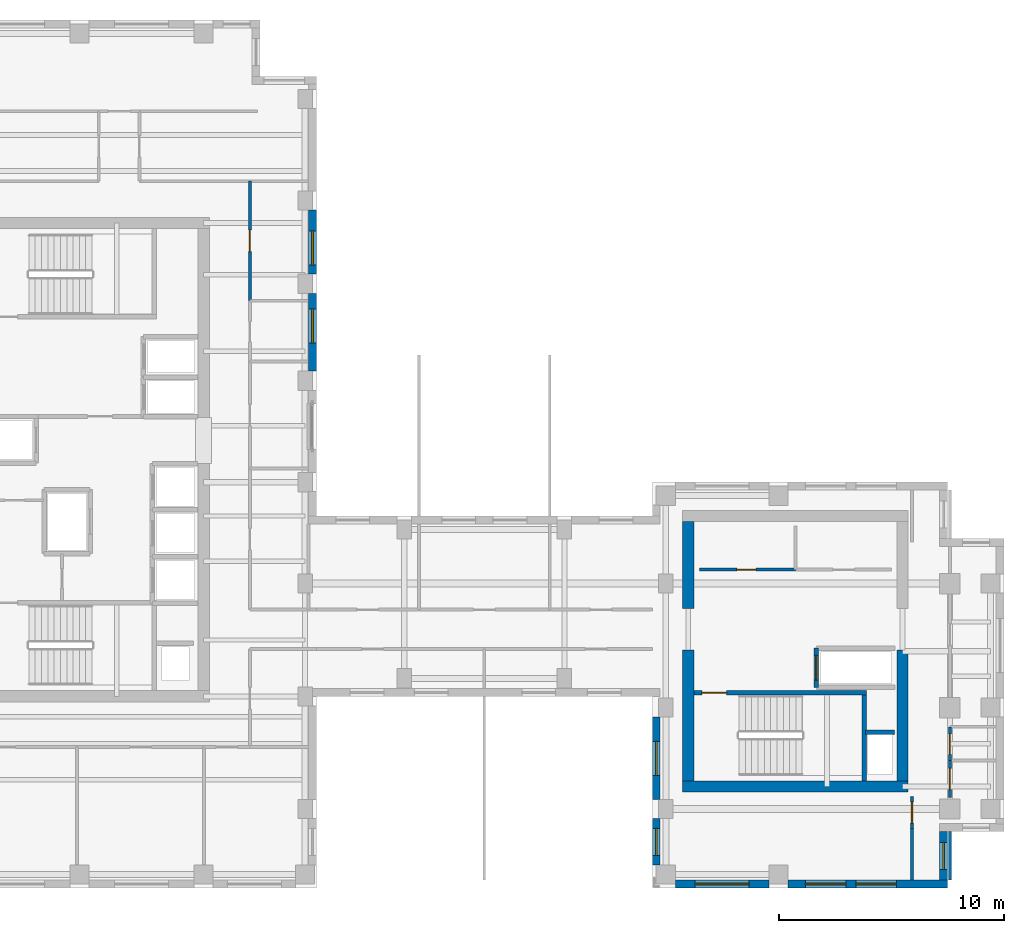
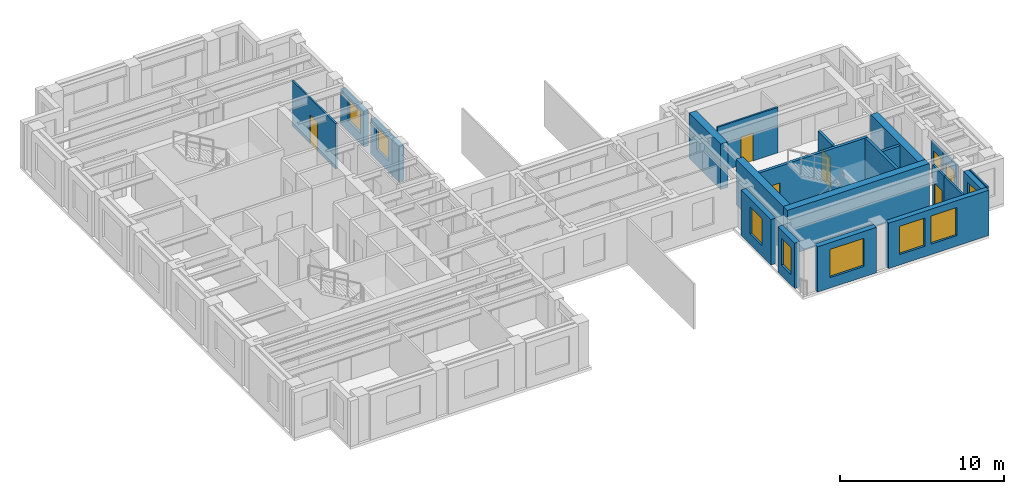
# One storey, part 7 of 11: 22 walls, 8 windows, 7 doors, 15 openings.
"""IFC4 building model written with IfcOpenShell, lengths in metres."""

from ifc_helpers import new_model, si_unit, direction, frame, frame_2d, origin, place, context, subcontext, project, spatial, rectangle, extrude, source, transform, mapped, material, layer, layer_set, type_object, element, fill, save


model = new_model("IFC4")

# Units and contexts
model_context = context("Model", 3, precision=1e-05, world=origin(), true_north=direction((0.0, 1.0)))
body_context = subcontext(model_context, "Body", "Model", "MODEL_VIEW")
ifc_project = project(units=[si_unit("LENGTHUNIT", "METRE"), si_unit("AREAUNIT", "SQUARE_METRE"), si_unit("VOLUMEUNIT", "CUBIC_METRE"), si_unit("PLANEANGLEUNIT", "RADIAN"), si_unit("MASSUNIT", "GRAM", prefix="KILO")], contexts=[model_context])

# Site, building, storey
site_placement = place(None, origin())
site = spatial("IfcSite", under=ifc_project, at=site_placement, CompositionType="ELEMENT")
building_placement = place(site_placement, origin())
building = spatial("IfcBuilding", under=site, at=building_placement, Name="Kharzan Plaza Tower", CompositionType="ELEMENT")
storey_placement = place(building_placement, frame((0.0, 0.0, 226.800048828125)))
storey = spatial("IfcBuildingStorey", under=building, at=storey_placement, Name="L61", CompositionType="ELEMENT", Elevation=226.800048828125)

# Wall, opening, window
ifc_material_1 = material(Name="Concrete C40/50", Category="concrete")
ifc_layer_1 = layer(ifc_material_1, 0.35009765625)
ifc_layer_set_1 = layer_set([ifc_layer_1], Name="Concrete C40/50")
wall_type_1 = type_object("IfcWallType", Name="WL-EXT-MAS-Z4", PredefinedType="SOLIDWALL", material=ifc_layer_set_1)
wall_1_placement = place(storey_placement, frame((19.324951171875, 22.923095703125, 0.0), z_axis=(0.0, 0.0, 1.0), x_axis=(0.0, 1.0, 0.0)))
wall_1 = element("IfcWall", 1, at=wall_1_placement, inside=storey, type_object=wall_type_1, Name="L61 Masonry-Frame Exterior Wall 04", PredefinedType="SOLIDWALL", context=body_context, shape_type="SweptSolid", body=[
    extrude(rectangle(XDim=3.453857421875, YDim=0.35009765625, at=frame_2d((1.72705078125, 0.0))), origin(), (0.0, 0.0, 1.0), 2.618896484375),
])
opening_1_placement = place(wall_1_placement, frame((1.255615234375, 0.0, 0.780029296875)))
opening_1 = element("IfcOpeningElement", 2, at=opening_1_placement, cuts=wall_1, Name="Opening W5", PredefinedType="OPENING", context=body_context, shape_type="SweptSolid", body=[
    extrude(rectangle(XDim=1.5, YDim=1.658935546875, at=frame_2d((0.75, 0.82958984375))), frame((0.0, 0.18505859375, 0.0), z_axis=(0.0, -1.0, 0.0), x_axis=(1.0, 0.0, 0.0)), (0.0, 0.0, 1.0), 0.3701171875),
])
ifc_material_2 = material(Name="Low-E Double Glazing", Category="glass")
window_type_1 = type_object("IfcWindowType", Name="WN-SLT-1500x2000", PartitioningType="SINGLE_PANEL", PredefinedType="WINDOW", material=ifc_material_2)
shared_shape_1 = source(origin(), body_context, "Body", "SweptSolid", [
    extrude(rectangle(XDim=1.5, YDim=1.658935546875, at=frame_2d((0.75, 0.82958984375))), frame((0.0, 0.030029296875, 0.0), z_axis=(0.0, -1.0, 0.0), x_axis=(1.0, 0.0, 0.0)), (0.0, 0.0, 1.0), 0.06005859375),
])
window_1_placement = place(opening_1_placement, origin())
window_1 = element("IfcWindow", 3, at=window_1_placement, inside=storey, type_object=window_type_1, Name="L61 Recessed Solar-Control Window 04-1", OverallHeight=1.658935546875, OverallWidth=1.5, PartitioningType="SINGLE_PANEL", PredefinedType="WINDOW", context=body_context, shape_type="MappedRepresentation", body=[
    mapped(shared_shape_1, transform((0.0, 0.0, 0.0), x_axis=(1.0, 0.0, 0.0), y_axis=(0.0, 1.0, 0.0), z_axis=(0.0, 0.0, 1.0))),
])
fill(opening_1, window_1)

wall_2_placement = place(storey_placement, frame((19.324951171875, 27.222900390625, 0.0), z_axis=(0.0, 0.0, 1.0), x_axis=(0.0, 1.0, 0.0)))
wall_2 = element("IfcWall", 4, at=wall_2_placement, inside=storey, type_object=wall_type_1, Name="L61 Masonry-Frame Exterior Wall 05", PredefinedType="SOLIDWALL", context=body_context, shape_type="SweptSolid", body=[
    extrude(rectangle(XDim=2.85400390625, YDim=0.35009765625, at=frame_2d((1.427001953125, 0.0))), origin(), (0.0, 0.0, 1.0), 2.618896484375),
])
opening_2_placement = place(wall_2_placement, frame((0.411376953125, 0.0, 0.780029296875)))
opening_2 = element("IfcOpeningElement", 5, at=opening_2_placement, cuts=wall_2, Name="Opening W5", PredefinedType="OPENING", context=body_context, shape_type="SweptSolid", body=[
    extrude(rectangle(XDim=1.5, YDim=1.658935546875, at=frame_2d((0.75, 0.82958984375))), frame((0.0, 0.18505859375, 0.0), z_axis=(0.0, -1.0, 0.0), x_axis=(1.0, 0.0, 0.0)), (0.0, 0.0, 1.0), 0.3701171875),
])
window_2_placement = place(opening_2_placement, origin())
window_2 = element("IfcWindow", 6, at=window_2_placement, inside=storey, type_object=window_type_1, Name="L61 Recessed Solar-Control Window 05-1", OverallHeight=1.658935546875, OverallWidth=1.5, PartitioningType="SINGLE_PANEL", PredefinedType="WINDOW", context=body_context, shape_type="MappedRepresentation", body=[
    mapped(shared_shape_1, transform((0.0, 0.0, 0.0), x_axis=(1.0, 0.0, 0.0), y_axis=(0.0, 1.0, 0.0), z_axis=(0.0, 0.0, 1.0))),
])
fill(opening_2, window_2)

wall_3_placement = place(storey_placement, frame((34.574951171875, 7.576904296875, 0.0), z_axis=(0.0, 0.0, 1.0), x_axis=(0.0, -1.0, 0.0)))
wall_3 = element("IfcWall", 7, at=wall_3_placement, inside=storey, type_object=wall_type_1, Name="L61 Masonry-Frame Exterior Wall 34", PredefinedType="SOLIDWALL", context=body_context, shape_type="SweptSolid", body=[
    extrude(rectangle(XDim=3.65380859375, YDim=0.35009765625, at=frame_2d((1.826904296875, 0.0))), origin(), (0.0, 0.0, 1.0), 3.385009765625),
])
opening_3_placement = place(wall_3_placement, frame((1.076904296875, 0.0, 0.780029296875)))
opening_3 = element("IfcOpeningElement", 8, at=opening_3_placement, cuts=wall_3, Name="Opening W5", PredefinedType="OPENING", context=body_context, shape_type="SweptSolid", body=[
    extrude(rectangle(XDim=1.5, YDim=2.0, at=frame_2d((0.75, 1.0))), frame((0.0, 0.18505859375, 0.0), z_axis=(0.0, -1.0, 0.0), x_axis=(1.0, 0.0, 0.0)), (0.0, 0.0, 1.0), 0.3701171875),
])
shared_shape_2 = source(origin(), body_context, "Body", "SweptSolid", [
    extrude(rectangle(XDim=1.5, YDim=2.0, at=frame_2d((0.75, 1.0))), frame((0.0, 0.030029296875, 0.0), z_axis=(0.0, -1.0, 0.0), x_axis=(1.0, 0.0, 0.0)), (0.0, 0.0, 1.0), 0.06005859375),
])
window_3_placement = place(opening_3_placement, origin())
window_3 = element("IfcWindow", 9, at=window_3_placement, inside=storey, type_object=window_type_1, Name="L61 Recessed Solar-Control Window 34-1", OverallHeight=2.0, OverallWidth=1.5, PartitioningType="SINGLE_PANEL", PredefinedType="WINDOW", context=body_context, shape_type="MappedRepresentation", body=[
    mapped(shared_shape_2, transform((0.0, 0.0, 0.0), x_axis=(1.0, 0.0, 0.0), y_axis=(0.0, 1.0, 0.0), z_axis=(0.0, 0.0, 1.0))),
])
fill(opening_3, window_3)

wall_4_placement = place(storey_placement, frame((34.574951171875, 3.076904296875, 0.0), z_axis=(0.0, 0.0, 1.0), x_axis=(0.0, -1.0, 0.0)))
wall_4 = element("IfcWall", 10, at=wall_4_placement, inside=storey, type_object=wall_type_1, Name="L61 Masonry-Frame Exterior Wall 35", PredefinedType="SOLIDWALL", context=body_context, shape_type="SweptSolid", body=[
    extrude(rectangle(XDim=2.053955078125, YDim=0.35009765625, at=frame_2d((1.02685546875, 0.0))), origin(), (0.0, 0.0, 1.0), 3.385009765625),
])
opening_4_placement = place(wall_4_placement, frame((0.427001953125, 0.0, 0.780029296875)))
opening_4 = element("IfcOpeningElement", 11, at=opening_4_placement, cuts=wall_4, Name="Opening W3", PredefinedType="OPENING", context=body_context, shape_type="SweptSolid", body=[
    extrude(rectangle(XDim=1.199951171875, YDim=2.0, at=frame_2d((0.60009765625, 1.0))), frame((0.0, 0.18505859375, 0.0), z_axis=(0.0, -1.0, 0.0), x_axis=(1.0, 0.0, 0.0)), (0.0, 0.0, 1.0), 0.3701171875),
])
window_type_2 = type_object("IfcWindowType", Name="WN-REC-1200x2100", PartitioningType="SINGLE_PANEL", PredefinedType="WINDOW", material=ifc_material_2)
shared_shape_3 = source(origin(), body_context, "Body", "SweptSolid", [
    extrude(rectangle(XDim=1.199951171875, YDim=2.0, at=frame_2d((0.60009765625, 1.0))), frame((0.0, 0.030029296875, 0.0), z_axis=(0.0, -1.0, 0.0), x_axis=(1.0, 0.0, 0.0)), (0.0, 0.0, 1.0), 0.06005859375),
])
window_4_placement = place(opening_4_placement, origin())
window_4 = element("IfcWindow", 12, at=window_4_placement, inside=storey, type_object=window_type_2, Name="L61 Recessed Solar-Control Window 35-1", OverallHeight=2.0, OverallWidth=1.199951171875, PartitioningType="SINGLE_PANEL", PredefinedType="WINDOW", context=body_context, shape_type="MappedRepresentation", body=[
    mapped(shared_shape_3, transform((0.0, 0.0, 0.0), x_axis=(1.0, 0.0, 0.0), y_axis=(0.0, 1.0, 0.0), z_axis=(0.0, 0.0, 1.0))),
])
fill(opening_4, window_4)

wall_5_placement = place(storey_placement, frame((35.423095703125, 0.175048828125, 0.0), z_axis=(0.0, 0.0, 1.0), x_axis=(1.0, 0.0, 0.0)))
wall_5 = element("IfcWall", 13, at=wall_5_placement, inside=storey, type_object=wall_type_1, Name="L61 Masonry-Frame Exterior Wall 36", PredefinedType="SOLIDWALL", context=body_context, shape_type="SweptSolid", body=[
    extrude(rectangle(XDim=4.15380859375, YDim=0.35009765625, at=frame_2d((2.076904296875, 0.0))), origin(), (0.0, 0.0, 1.0), 3.385009765625),
])
opening_5_placement = place(wall_5_placement, frame((0.876953125, 0.0, 0.780029296875)))
opening_5 = element("IfcOpeningElement", 14, at=opening_5_placement, cuts=wall_5, Name="Opening W2", PredefinedType="OPENING", context=body_context, shape_type="SweptSolid", body=[
    extrude(rectangle(XDim=2.39990234375, YDim=2.10009765625, at=frame_2d((1.199951171875, 1.050048828125))), frame((0.0, 0.18505859375, 0.0), z_axis=(0.0, -1.0, 0.0), x_axis=(1.0, 0.0, 0.0)), (0.0, 0.0, 1.0), 0.3701171875),
])
window_type_3 = type_object("IfcWindowType", Name="WN-REC-2400x2100", PartitioningType="SINGLE_PANEL", PredefinedType="WINDOW", material=ifc_material_2)
shared_shape_4 = source(origin(), body_context, "Body", "SweptSolid", [
    extrude(rectangle(XDim=2.39990234375, YDim=2.10009765625, at=frame_2d((1.199951171875, 1.050048828125))), frame((0.0, 0.030029296875, 0.0), z_axis=(0.0, -1.0, 0.0), x_axis=(1.0, 0.0, 0.0)), (0.0, 0.0, 1.0), 0.06005859375),
])
window_5_placement = place(opening_5_placement, origin())
window_5 = element("IfcWindow", 15, at=window_5_placement, inside=storey, type_object=window_type_3, Name="L61 Wide Recessed Solar-Control Window 36-1", OverallHeight=2.10009765625, OverallWidth=2.39990234375, PartitioningType="SINGLE_PANEL", PredefinedType="WINDOW", context=body_context, shape_type="MappedRepresentation", body=[
    mapped(shared_shape_4, transform((0.0, 0.0, 0.0), x_axis=(1.0, 0.0, 0.0), y_axis=(0.0, 1.0, 0.0), z_axis=(0.0, 0.0, 1.0))),
])
fill(opening_5, window_5)

# Wall, openings, windows
wall_6_placement = place(storey_placement, frame((40.423095703125, 0.175048828125, 0.0), z_axis=(0.0, 0.0, 1.0), x_axis=(1.0, 0.0, 0.0)))
wall_6 = element("IfcWall", 16, at=wall_6_placement, inside=storey, type_object=wall_type_1, Name="L61 Masonry-Frame Exterior Wall 37", PredefinedType="SOLIDWALL", context=body_context, shape_type="SweptSolid", body=[
    extrude(rectangle(XDim=7.076904296875, YDim=0.35009765625, at=frame_2d((3.53857421875, 0.0))), origin(), (0.0, 0.0, 1.0), 3.385009765625),
])
opening_6_placement = place(wall_6_placement, frame((0.76220703125, 0.0, 0.780029296875)))
opening_6 = element("IfcOpeningElement", 17, at=opening_6_placement, cuts=wall_6, Name="Opening W1", PredefinedType="OPENING", context=body_context, shape_type="SweptSolid", body=[
    extrude(rectangle(XDim=1.800048828125, YDim=2.10009765625, at=frame_2d((0.89990234375, 1.050048828125))), frame((0.0, 0.18505859375, 0.0), z_axis=(0.0, -1.0, 0.0), x_axis=(1.0, 0.0, 0.0)), (0.0, 0.0, 1.0), 0.3701171875),
])
opening_7_placement = place(wall_6_placement, frame((3.004638671875, 0.0, 0.780029296875)))
opening_7 = element("IfcOpeningElement", 18, at=opening_7_placement, cuts=wall_6, Name="Opening W1", PredefinedType="OPENING", context=body_context, shape_type="SweptSolid", body=[
    extrude(rectangle(XDim=1.800048828125, YDim=2.10009765625, at=frame_2d((0.89990234375, 1.050048828125))), frame((0.0, 0.18505859375, 0.0), z_axis=(0.0, -1.0, 0.0), x_axis=(1.0, 0.0, 0.0)), (0.0, 0.0, 1.0), 0.3701171875),
])
window_type_4 = type_object("IfcWindowType", Name="WN-REC-1800x2100", PartitioningType="SINGLE_PANEL", PredefinedType="WINDOW", material=ifc_material_2)
shared_shape_5 = source(origin(), body_context, "Body", "SweptSolid", [
    extrude(rectangle(XDim=1.800048828125, YDim=2.10009765625, at=frame_2d((0.89990234375, 1.050048828125))), frame((0.0, 0.030029296875, 0.0), z_axis=(0.0, -1.0, 0.0), x_axis=(1.0, 0.0, 0.0)), (0.0, 0.0, 1.0), 0.06005859375),
])
window_6_placement = place(opening_6_placement, origin())
window_6 = element("IfcWindow", 19, at=window_6_placement, inside=storey, type_object=window_type_4, Name="L61 Recessed Solar-Control Window 37-1", OverallHeight=2.10009765625, OverallWidth=1.800048828125, PartitioningType="SINGLE_PANEL", PredefinedType="WINDOW", context=body_context, shape_type="MappedRepresentation", body=[
    mapped(shared_shape_5, transform((0.0, 0.0, 0.0), x_axis=(1.0, 0.0, 0.0), y_axis=(0.0, 1.0, 0.0), z_axis=(0.0, 0.0, 1.0))),
])
fill(opening_6, window_6)
window_7_placement = place(opening_7_placement, origin())
window_7 = element("IfcWindow", 20, at=window_7_placement, inside=storey, type_object=window_type_4, Name="L61 Recessed Solar-Control Window 37-2", OverallHeight=2.10009765625, OverallWidth=1.800048828125, PartitioningType="SINGLE_PANEL", PredefinedType="WINDOW", context=body_context, shape_type="MappedRepresentation", body=[
    mapped(shared_shape_5, transform((0.0, 0.0, 0.0), x_axis=(1.0, 0.0, 0.0), y_axis=(0.0, 1.0, 0.0), z_axis=(0.0, 0.0, 1.0))),
])
fill(opening_7, window_7)

# Wall, opening, window
wall_7_placement = place(storey_placement, frame((47.324951171875, 0.347900390625, 0.0), z_axis=(0.0, 0.0, 1.0), x_axis=(0.0, 1.0, 0.0)))
wall_7 = element("IfcWall", 21, at=wall_7_placement, inside=storey, type_object=wall_type_1, Name="L61 Masonry-Frame Exterior Wall 38", PredefinedType="SOLIDWALL", context=body_context, shape_type="SweptSolid", body=[
    extrude(rectangle(XDim=2.154052734375, YDim=0.35009765625, at=frame_2d((1.0771484375, 0.0))), origin(), (0.0, 0.0, 1.0), 3.385009765625),
])
opening_8_placement = place(wall_7_placement, frame((0.47705078125, 0.0, 0.780029296875)))
opening_8 = element("IfcOpeningElement", 22, at=opening_8_placement, cuts=wall_7, Name="Opening W3", PredefinedType="OPENING", context=body_context, shape_type="SweptSolid", body=[
    extrude(rectangle(XDim=1.199951171875, YDim=2.10009765625, at=frame_2d((0.60009765625, 1.050048828125))), frame((0.0, 0.18505859375, 0.0), z_axis=(0.0, -1.0, 0.0), x_axis=(1.0, 0.0, 0.0)), (0.0, 0.0, 1.0), 0.3701171875),
])
shared_shape_6 = source(origin(), body_context, "Body", "SweptSolid", [
    extrude(rectangle(XDim=1.199951171875, YDim=2.10009765625, at=frame_2d((0.60009765625, 1.050048828125))), frame((0.0, 0.030029296875, 0.0), z_axis=(0.0, -1.0, 0.0), x_axis=(1.0, 0.0, 0.0)), (0.0, 0.0, 1.0), 0.06005859375),
])
window_8_placement = place(opening_8_placement, origin())
window_8 = element("IfcWindow", 23, at=window_8_placement, inside=storey, type_object=window_type_2, Name="L61 Recessed Solar-Control Window 38-1", OverallHeight=2.10009765625, OverallWidth=1.199951171875, PartitioningType="SINGLE_PANEL", PredefinedType="WINDOW", context=body_context, shape_type="MappedRepresentation", body=[
    mapped(shared_shape_6, transform((0.0, 0.0, 0.0), x_axis=(1.0, 0.0, 0.0), y_axis=(0.0, 1.0, 0.0), z_axis=(0.0, 0.0, 1.0))),
])
fill(opening_8, window_8)

# Wall, opening, door
ifc_material_3 = material(Name="Fire-Rated Gypsum Board Partition", Category="gypsum")
ifc_layer_2 = layer(ifc_material_3, 0.125)
ifc_layer_set_2 = layer_set([ifc_layer_2], Name="Fire-Rated Gypsum Board Partition")
wall_type_2 = type_object("IfcWallType", Name="WL-INT-PART-125", PredefinedType="PARTITIONING", material=ifc_layer_set_2)
wall_8_placement = place(storey_placement, frame((36.5, 14.1201171875, 0.0), z_axis=(0.0, 0.0, 1.0), x_axis=(1.0, 0.0, 0.0)))
wall_8 = element("IfcWall", 24, at=wall_8_placement, inside=storey, type_object=wall_type_2, Name="L61 Interior Partition CB-RBLS1", PredefinedType="PARTITIONING", context=body_context, shape_type="SweptSolid", body=[
    extrude(rectangle(XDim=4.25, YDim=0.125, at=frame_2d((2.125, 0.0))), origin(), (0.0, 0.0, 1.0), 3.385009765625),
])
opening_9_placement = place(wall_8_placement, frame((1.64990234375, 0.0, 0.0)))
opening_9 = element("IfcOpeningElement", 25, at=opening_9_placement, cuts=wall_8, Name="Opening RD1", PredefinedType="OPENING", context=body_context, shape_type="SweptSolid", body=[
    extrude(rectangle(XDim=0.85009765625, YDim=2.10009765625, at=frame_2d((0.425048828125, 1.050048828125))), frame((0.0, 0.072509765625, 0.0), z_axis=(0.0, -1.0, 0.0), x_axis=(1.0, 0.0, 0.0)), (0.0, 0.0, 1.0), 0.14501953125),
])
ifc_material_4 = material(Name="Powder-Coated Fire-Rated Steel", Category="steel")
door_type_1 = type_object("IfcDoorType", Name="DR-RISER-900", OperationType="NOTDEFINED", PredefinedType="DOOR", material=ifc_material_4)
shared_shape_7 = source(origin(), body_context, "Body", "SweptSolid", [
    extrude(rectangle(XDim=0.85009765625, YDim=2.10009765625, at=frame_2d((0.425048828125, 1.050048828125))), frame((0.0, 0.02490234375, 0.0), z_axis=(0.0, -1.0, 0.0), x_axis=(1.0, 0.0, 0.0)), (0.0, 0.0, 1.0), 0.050048828125),
])
door_1_placement = place(opening_9_placement, origin())
door_1 = element("IfcDoor", 26, at=door_1_placement, inside=storey, type_object=door_type_1, Name="L61 Archive Room Door", OperationType="SINGLE_SWING_RIGHT", OverallHeight=2.10009765625, OverallWidth=0.85009765625, PredefinedType="DOOR", context=body_context, shape_type="MappedRepresentation", body=[
    mapped(shared_shape_7, transform((0.0, 0.0, 0.0), x_axis=(1.0, 0.0, 0.0), y_axis=(0.0, 1.0, 0.0), z_axis=(0.0, 0.0, 1.0))),
])
fill(opening_9, door_1)

wall_9_placement = place(storey_placement, frame((16.550048828125, 26.050048828125, 0.0), z_axis=(0.0, 0.0, 1.0), x_axis=(0.0, 1.0, 0.0)))
wall_9 = element("IfcWall", 27, at=wall_9_placement, inside=storey, type_object=wall_type_2, Name="L61 Interior Partition SH-AEWN3", PredefinedType="PARTITIONING", context=body_context, shape_type="SweptSolid", body=[
    extrude(rectangle(XDim=5.300048828125, YDim=0.125, at=frame_2d((2.64990234375, 0.0))), origin(), (0.0, 0.0, 1.0), 3.385009765625),
])
opening_10_placement = place(wall_9_placement, frame((2.175048828125, 0.0, 0.0)))
opening_10 = element("IfcOpeningElement", 28, at=opening_10_placement, cuts=wall_9, Name="Opening OD1", PredefinedType="OPENING", context=body_context, shape_type="SweptSolid", body=[
    extrude(rectangle(XDim=0.949951171875, YDim=2.14990234375, at=frame_2d((0.47509765625, 1.074951171875))), frame((0.0, 0.072509765625, 0.0), z_axis=(0.0, -1.0, 0.0), x_axis=(1.0, 0.0, 0.0)), (0.0, 0.0, 1.0), 0.14501953125),
])
ifc_material_5 = material(Name="Acoustic Solid-Core Stained Oak", Category="timber")
door_type_2 = type_object("IfcDoorType", Name="DR-OFF-SINGLE", OperationType="NOTDEFINED", PredefinedType="DOOR", material=ifc_material_5)
shared_shape_8 = source(origin(), body_context, "Body", "SweptSolid", [
    extrude(rectangle(XDim=0.949951171875, YDim=2.14990234375, at=frame_2d((0.47509765625, 1.074951171875))), frame((0.0, 0.02490234375, 0.0), z_axis=(0.0, -1.0, 0.0), x_axis=(1.0, 0.0, 0.0)), (0.0, 0.0, 1.0), 0.050048828125),
])
door_2_placement = place(opening_10_placement, origin())
door_2 = element("IfcDoor", 29, at=door_2_placement, inside=storey, type_object=door_type_2, Name="L61 Staff Tea Point Door", OperationType="SINGLE_SWING_RIGHT", OverallHeight=2.14990234375, OverallWidth=0.949951171875, PredefinedType="DOOR", context=body_context, shape_type="MappedRepresentation", body=[
    mapped(shared_shape_8, transform((0.0, 0.0, 0.0), x_axis=(1.0, 0.0, 0.0), y_axis=(0.0, 1.0, 0.0), z_axis=(0.0, 0.0, 1.0))),
])
fill(opening_10, door_2)

wall_10_placement = place(storey_placement, frame((47.60009765625, 4.02001953125, 0.0), z_axis=(0.0, 0.0, 1.0), x_axis=(0.0, 1.0, 0.0)))
wall_10 = element("IfcWall", 30, at=wall_10_placement, inside=storey, type_object=wall_type_2, Name="L61 Interior Partition SH-B0W0", PredefinedType="PARTITIONING", context=body_context, shape_type="SweptSolid", body=[
    extrude(rectangle(XDim=1.6298828125, YDim=0.125, at=frame_2d((0.81494140625, 0.0))), origin(), (0.0, 0.0, 1.0), 2.77294921875),
])
opening_11_placement = place(wall_10_placement, frame((0.340087890625, 0.0, 0.0)))
opening_11 = element("IfcOpeningElement", 31, at=opening_11_placement, cuts=wall_10, Name="Opening OD1", PredefinedType="OPENING", context=body_context, shape_type="SweptSolid", body=[
    extrude(rectangle(XDim=0.949951171875, YDim=2.14990234375, at=frame_2d((0.47509765625, 1.074951171875))), frame((0.0, 0.072509765625, 0.0), z_axis=(0.0, -1.0, 0.0), x_axis=(1.0, 0.0, 0.0)), (0.0, 0.0, 1.0), 0.14501953125),
])
door_3_placement = place(opening_11_placement, origin())
door_3 = element("IfcDoor", 32, at=door_3_placement, inside=storey, type_object=door_type_2, Name="L61 Wing B South Office Door", OperationType="SINGLE_SWING_RIGHT", OverallHeight=2.14990234375, OverallWidth=0.949951171875, PredefinedType="DOOR", context=body_context, shape_type="MappedRepresentation", body=[
    mapped(shared_shape_8, transform((0.0, 0.0, 0.0), x_axis=(1.0, 0.0, 0.0), y_axis=(0.0, 1.0, 0.0), z_axis=(0.0, 0.0, 1.0))),
])
fill(opening_11, door_3)

wall_11_placement = place(storey_placement, frame((47.60009765625, 5.64990234375, 0.0), z_axis=(0.0, 0.0, 1.0), x_axis=(0.0, 1.0, 0.0)))
wall_11 = element("IfcWall", 33, at=wall_11_placement, inside=storey, type_object=wall_type_2, Name="L61 Interior Partition SH-B0WC", PredefinedType="PARTITIONING", context=body_context, shape_type="SweptSolid", body=[
    extrude(rectangle(XDim=1.5, YDim=0.125, at=frame_2d((0.75, 0.0))), origin(), (0.0, 0.0, 1.0), 2.77294921875),
])
opening_12_placement = place(wall_11_placement, frame((0.27490234375, 0.0, 0.0)))
opening_12 = element("IfcOpeningElement", 34, at=opening_12_placement, cuts=wall_11, Name="Opening WD1", PredefinedType="OPENING", context=body_context, shape_type="SweptSolid", body=[
    extrude(rectangle(XDim=0.89990234375, YDim=2.14990234375, at=frame_2d((0.449951171875, 1.074951171875))), frame((0.0, 0.072509765625, 0.0), z_axis=(0.0, -1.0, 0.0), x_axis=(1.0, 0.0, 0.0)), (0.0, 0.0, 1.0), 0.14501953125),
])
ifc_material_6 = material(Name="Moisture-Resistant Fire-Rated Laminate", Category="timber")
door_type_3 = type_object("IfcDoorType", Name="DR-WC-900", OperationType="NOTDEFINED", PredefinedType="DOOR", material=ifc_material_6)
shared_shape_9 = source(origin(), body_context, "Body", "SweptSolid", [
    extrude(rectangle(XDim=0.89990234375, YDim=2.14990234375, at=frame_2d((0.449951171875, 1.074951171875))), frame((0.0, 0.02490234375, 0.0), z_axis=(0.0, -1.0, 0.0), x_axis=(1.0, 0.0, 0.0)), (0.0, 0.0, 1.0), 0.050048828125),
])
door_4_placement = place(opening_12_placement, origin())
door_4 = element("IfcDoor", 35, at=door_4_placement, inside=storey, type_object=door_type_3, Name="L61 Wing B Washroom Door", OperationType="SINGLE_SWING_LEFT", OverallHeight=2.14990234375, OverallWidth=0.89990234375, PredefinedType="DOOR", context=body_context, shape_type="MappedRepresentation", body=[
    mapped(shared_shape_9, transform((0.0, 0.0, 0.0), x_axis=(1.0, 0.0, 0.0), y_axis=(0.0, 1.0, 0.0), z_axis=(0.0, 0.0, 1.0))),
])
fill(opening_12, door_4)

wall_12_placement = place(storey_placement, frame((45.919921875, 2.64990234375, 0.0), z_axis=(0.0, 0.0, 1.0), x_axis=(0.0, 1.0, 0.0)))
wall_12 = element("IfcWall", 36, at=wall_12_placement, inside=storey, type_object=wall_type_2, Name="L61 Interior Partition SH-RBSE", PredefinedType="PARTITIONING", context=body_context, shape_type="SweptSolid", body=[
    extrude(rectangle(XDim=1.400146484375, YDim=0.125, at=frame_2d((0.7001953125, 0.0))), origin(), (0.0, 0.0, 1.0), 3.385009765625),
])
opening_13_placement = place(wall_12_placement, frame((0.22509765625, 0.0, 0.0)))
opening_13 = element("IfcOpeningElement", 37, at=opening_13_placement, cuts=wall_12, Name="Opening OD1", PredefinedType="OPENING", context=body_context, shape_type="SweptSolid", body=[
    extrude(rectangle(XDim=0.949951171875, YDim=2.14990234375, at=frame_2d((0.47509765625, 1.074951171875))), frame((0.0, 0.072509765625, 0.0), z_axis=(0.0, -1.0, 0.0), x_axis=(1.0, 0.0, 0.0)), (0.0, 0.0, 1.0), 0.14501953125),
])
door_5_placement = place(opening_13_placement, origin())
door_5 = element("IfcDoor", 38, at=door_5_placement, inside=storey, type_object=door_type_2, Name="L61 South-East Corner Office Door", OperationType="SINGLE_SWING_RIGHT", OverallHeight=2.14990234375, OverallWidth=0.949951171875, PredefinedType="DOOR", context=body_context, shape_type="MappedRepresentation", body=[
    mapped(shared_shape_8, transform((0.0, 0.0, 0.0), x_axis=(1.0, 0.0, 0.0), y_axis=(0.0, 1.0, 0.0), z_axis=(0.0, 0.0, 1.0))),
])
fill(opening_13, door_5)

ifc_layer_3 = layer(ifc_material_1, 0.199951171875)
ifc_layer_set_3 = layer_set([ifc_layer_3], Name="Concrete C40/50")
wall_type_3 = type_object("IfcWallType", Name="WL-INT-SHAFT-200", PredefinedType="PARTITIONING", material=ifc_layer_set_3)
wall_13_placement = place(storey_placement, frame((41.679931640625, 8.89990234375, 0.0), z_axis=(0.0, 0.0, 1.0), x_axis=(0.0, 1.0, 0.0)))
wall_13 = element("IfcWall", 39, at=wall_13_placement, inside=storey, type_object=wall_type_3, Name="L61 Interior Partition SHF-SVL-2-W", PredefinedType="PARTITIONING", context=body_context, shape_type="SweptSolid", body=[
    extrude(rectangle(XDim=1.739990234375, YDim=0.199951171875, at=frame_2d((0.8701171875, 0.0))), origin(), (0.0, 0.0, 1.0), 3.385009765625),
])
opening_14_placement = place(wall_13_placement, frame((0.320068359375, 0.0, 0.0)))
opening_14 = element("IfcOpeningElement", 40, at=opening_14_placement, cuts=wall_13, Name="Opening LD", PredefinedType="OPENING", context=body_context, shape_type="SweptSolid", body=[
    extrude(rectangle(XDim=1.10009765625, YDim=2.199951171875, at=frame_2d((0.550048828125, 1.10009765625))), frame((0.0, 0.10986328125, 0.0), z_axis=(0.0, -1.0, 0.0), x_axis=(1.0, 0.0, 0.0)), (0.0, 0.0, 1.0), 0.219970703125),
])
ifc_material_7 = material(Name="Brushed Stainless Steel", Category="steel")
door_type_4 = type_object("IfcDoorType", Name="DR-LIFT-SLIDE", OperationType="SLIDING_TO_LEFT", PredefinedType="DOOR", material=ifc_material_7)
shared_shape_10 = source(origin(), body_context, "Body", "SweptSolid", [
    extrude(rectangle(XDim=1.10009765625, YDim=2.199951171875, at=frame_2d((0.550048828125, 1.10009765625))), frame((0.0, 0.02490234375, 0.0), z_axis=(0.0, -1.0, 0.0), x_axis=(1.0, 0.0, 0.0)), (0.0, 0.0, 1.0), 0.050048828125),
])
door_6_placement = place(opening_14_placement, origin())
door_6 = element("IfcDoor", 41, at=door_6_placement, inside=storey, type_object=door_type_4, Name="L61 Service Lift SVL-2 Sliding Landing Door", OperationType="SLIDING_TO_LEFT", OverallHeight=2.199951171875, OverallWidth=1.10009765625, PredefinedType="DOOR", context=body_context, shape_type="MappedRepresentation", body=[
    mapped(shared_shape_10, transform((0.0, 0.0, 0.0), x_axis=(1.0, 0.0, 0.0), y_axis=(0.0, 1.0, 0.0), z_axis=(0.0, 0.0, 1.0))),
])
fill(opening_14, door_6)

ifc_material_8 = material(Name="Concrete C50/60", Category="concrete")
ifc_layer_4 = layer(ifc_material_8, 0.199951171875)
ifc_layer_set_4 = layer_set([ifc_layer_4], Name="Concrete C50/60")
wall_type_4 = type_object("IfcWallType", Name="WL-SHAFT-RC200", PredefinedType="SHEAR", material=ifc_layer_set_4)
wall_14_placement = place(storey_placement, frame((36.251953125, 8.655029296875, 0.0), z_axis=(0.0, 0.0, 1.0), x_axis=(1.0, 0.0, 0.0)))
wall_14 = element("IfcWall", 42, at=wall_14_placement, inside=storey, type_object=wall_type_4, Name="L61 Stair ST-3 North RC Shaft Wall", PredefinedType="SHEAR", context=body_context, shape_type="SweptSolid", body=[
    extrude(rectangle(XDim=7.653076171875, YDim=0.199951171875, at=frame_2d((3.82666015625, 0.0))), origin(), (0.0, 0.0, 1.0), 3.39990234375),
])
opening_15_placement = place(wall_14_placement, frame((0.35009765625, 0.0, 0.0)))
opening_15 = element("IfcOpeningElement", 43, at=opening_15_placement, cuts=wall_14, Name="Opening SD1", PredefinedType="OPENING", context=body_context, shape_type="SweptSolid", body=[
    extrude(rectangle(XDim=1.10009765625, YDim=2.14990234375, at=frame_2d((0.550048828125, 1.074951171875))), frame((0.0, 0.10986328125, 0.0), z_axis=(0.0, -1.0, 0.0), x_axis=(1.0, 0.0, 0.0)), (0.0, 0.0, 1.0), 0.219970703125),
])
ifc_material_9 = material(Name="Fire-Rated Hollow Galvanized Steel", Category="steel")
door_type_5 = type_object("IfcDoorType", Name="DR-STAIR-FD120", OperationType="NOTDEFINED", PredefinedType="DOOR", material=ifc_material_9)
shared_shape_11 = source(origin(), body_context, "Body", "SweptSolid", [
    extrude(rectangle(XDim=1.10009765625, YDim=2.14990234375, at=frame_2d((0.550048828125, 1.074951171875))), frame((0.0, 0.02490234375, 0.0), z_axis=(0.0, -1.0, 0.0), x_axis=(1.0, 0.0, 0.0)), (0.0, 0.0, 1.0), 0.050048828125),
])
door_7_placement = place(opening_15_placement, origin())
door_7 = element("IfcDoor", 44, at=door_7_placement, inside=storey, type_object=door_type_5, Name="L61 Stair ST-3 Fire Exit Door", OperationType="SINGLE_SWING_LEFT", OverallHeight=2.14990234375, OverallWidth=1.10009765625, PredefinedType="DOOR", context=body_context, shape_type="MappedRepresentation", body=[
    mapped(shared_shape_11, transform((0.0, 0.0, 0.0), x_axis=(1.0, 0.0, 0.0), y_axis=(0.0, 1.0, 0.0), z_axis=(0.0, 0.0, 1.0))),
])
fill(opening_15, door_7)

# Walls
shared_shape_12 = source(origin(), body_context, "Body", "SweptSolid", [
    extrude(rectangle(XDim=2.2978515625, YDim=0.125, at=frame_2d((1.14892578125, 0.0))), origin(), (0.0, 0.0, 1.0), 3.385009765625),
])
wall_15_placement = place(storey_placement, frame((45.919921875, 0.35205078125, 0.0), z_axis=(0.0, 0.0, 1.0), x_axis=(0.0, 1.0, 0.0)))
element("IfcWall", 45, at=wall_15_placement, inside=storey, type_object=wall_type_2, Name="L61 Interior Partition SH-RBSE0", PredefinedType="PARTITIONING", context=body_context, shape_type="MappedRepresentation", body=[
    mapped(shared_shape_12, transform((0.0, 0.0, 0.0), x_axis=(1.0, 0.0, 0.0), y_axis=(0.0, 1.0, 0.0), z_axis=(0.0, 0.0, 1.0))),
])
shared_shape_13 = source(origin(), body_context, "Body", "SweptSolid", [
    extrude(rectangle(XDim=1.2998046875, YDim=0.199951171875, at=frame_2d((0.64990234375, 0.0))), origin(), (0.0, 0.0, 1.0), 3.385009765625),
])
wall_16_placement = place(storey_placement, frame((43.85009765625, 6.89990234375, 0.0), z_axis=(0.0, 0.0, 1.0), x_axis=(1.0, 0.0, 0.0)))
element("IfcWall", 46, at=wall_16_placement, inside=storey, type_object=wall_type_3, Name="L61 Interior Partition CB-RSRB-N", PredefinedType="PARTITIONING", context=body_context, shape_type="MappedRepresentation", body=[
    mapped(shared_shape_13, transform((0.0, 0.0, 0.0), x_axis=(1.0, 0.0, 0.0), y_axis=(0.0, 1.0, 0.0), z_axis=(0.0, 0.0, 1.0))),
])
shared_shape_14 = source(origin(), body_context, "Body", "SweptSolid", [
    extrude(rectangle(XDim=2.14794921875, YDim=0.125, at=frame_2d((1.073974609375, 0.0))), origin(), (0.0, 0.0, 1.0), 3.385009765625),
])
wall_17_placement = place(storey_placement, frame((47.60009765625, 0.35009765625, 0.0), z_axis=(0.0, 0.0, 1.0), x_axis=(0.0, 1.0, 0.0)))
element("IfcWall", 47, at=wall_17_placement, inside=storey, type_object=wall_type_2, Name="L61 Interior Partition SH-B0W0S", PredefinedType="PARTITIONING", context=body_context, shape_type="MappedRepresentation", body=[
    mapped(shared_shape_14, transform((0.0, 0.0, 0.0), x_axis=(1.0, 0.0, 0.0), y_axis=(0.0, 1.0, 0.0), z_axis=(0.0, 0.0, 1.0))),
])
ifc_layer_5 = layer(ifc_material_8, 0.5)
ifc_layer_set_5 = layer_set([ifc_layer_5], Name="Concrete C50/60")
wall_type_5 = type_object("IfcWallType", Name="WL-CORE-500", PredefinedType="SHEAR", material=ifc_layer_set_5)
shared_shape_15 = source(origin(), body_context, "Body", "SweptSolid", [
    extrude(rectangle(XDim=5.800048828125, YDim=0.5, at=frame_2d((2.89990234375, 0.0))), origin(), (0.0, 0.0, 1.0), 3.39990234375),
])
for number, where, z_axis, x_axis, name in (
    (48, (45.5, 4.75, 0.0), (0.0, 0.0, 1.0), (0.0, 1.0, 0.0), "L61 CORE-B east shear pier 1"),
    (49, (36.0, 4.75, 0.0), (0.0, 0.0, 1.0), (0.0, 1.0, 0.0), "L61 CORE-B west shear pier 1"),
):
    element("IfcWall", number, at=place(storey_placement, frame(where, z_axis=z_axis, x_axis=x_axis)), inside=storey, type_object=wall_type_5, Name=name, PredefinedType="SHEAR", context=body_context, shape_type="MappedRepresentation", body=[
        mapped(shared_shape_15, transform((0.0, 0.0, 0.0), x_axis=(1.0, 0.0, 0.0), y_axis=(0.0, 1.0, 0.0), z_axis=(0.0, 0.0, 1.0))),
    ])
shared_shape_16 = source(origin(), body_context, "Body", "SweptSolid", [
    extrude(rectangle(XDim=3.85009765625, YDim=0.5, at=frame_2d((1.925048828125, 0.0))), origin(), (0.0, 0.0, 1.0), 3.39990234375),
])
wall_18_placement = place(storey_placement, frame((36.0, 12.39990234375, 0.0), z_axis=(0.0, 0.0, 1.0), x_axis=(0.0, 1.0, 0.0)))
element("IfcWall", 50, at=wall_18_placement, inside=storey, type_object=wall_type_5, Name="L61 CORE-B west shear pier 2", PredefinedType="SHEAR", context=body_context, shape_type="MappedRepresentation", body=[
    mapped(shared_shape_16, transform((0.0, 0.0, 0.0), x_axis=(1.0, 0.0, 0.0), y_axis=(0.0, 1.0, 0.0), z_axis=(0.0, 0.0, 1.0))),
])
shared_shape_17 = source(origin(), body_context, "Body", "SweptSolid", [
    extrude(rectangle(XDim=10.0, YDim=0.5, at=frame_2d((5.0, 0.0))), origin(), (0.0, 0.0, 1.0), 3.39990234375),
])
wall_19_placement = place(storey_placement, frame((35.75, 4.5, 0.0), z_axis=(0.0, 0.0, 1.0), x_axis=(1.0, 0.0, 0.0)))
element("IfcWall", 51, at=wall_19_placement, inside=storey, type_object=wall_type_5, Name="L61 CORE-B south RC shear wall", PredefinedType="SHEAR", context=body_context, shape_type="MappedRepresentation", body=[
    mapped(shared_shape_17, transform((0.0, 0.0, 0.0), x_axis=(1.0, 0.0, 0.0), y_axis=(0.0, 1.0, 0.0), z_axis=(0.0, 0.0, 1.0))),
])
shared_shape_18 = source(origin(), body_context, "Body", "SweptSolid", [
    extrude(rectangle(XDim=3.802978515625, YDim=0.199951171875, at=frame_2d((1.9013671875, 0.0))), origin(), (0.0, 0.0, 1.0), 3.39990234375),
])
wall_20_placement = place(storey_placement, frame((43.804931640625, 4.751953125, 0.0), z_axis=(0.0, 0.0, 1.0), x_axis=(0.0, 1.0, 0.0)))
element("IfcWall", 52, at=wall_20_placement, inside=storey, type_object=wall_type_4, Name="L61 Stair ST-3 East RC Shaft Wall", PredefinedType="SHEAR", context=body_context, shape_type="MappedRepresentation", body=[
    mapped(shared_shape_18, transform((0.0, 0.0, 0.0), x_axis=(1.0, 0.0, 0.0), y_axis=(0.0, 1.0, 0.0), z_axis=(0.0, 0.0, 1.0))),
])

save(model, "model.ifc")
